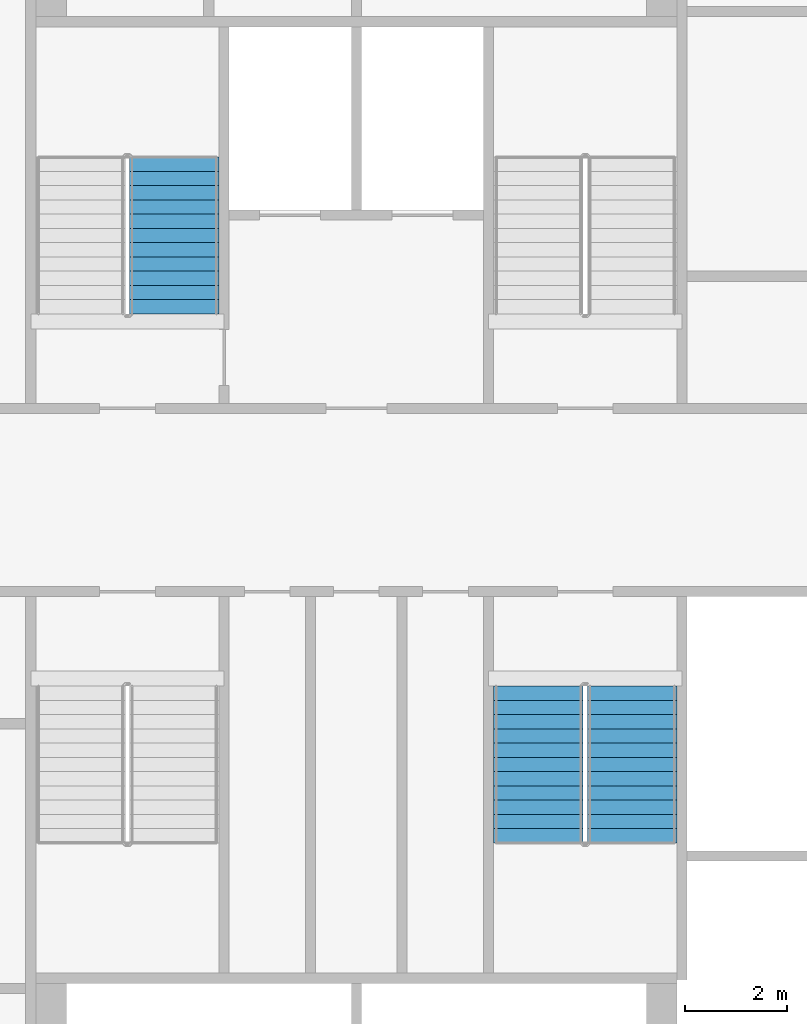
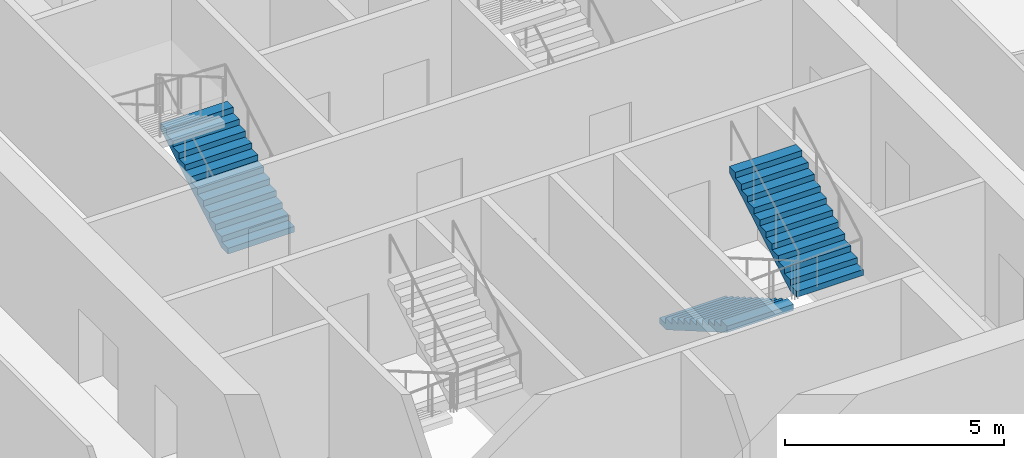
# One storey, part 9 of 15: 3 stair flights, 2 elements without a shape of their own.
"""IFC4 building model written with IfcOpenShell, lengths in metres."""

from ifc_helpers import new_model, si_unit, direction, frame, origin, place, context, subcontext, project, spatial, faceted_brep, material, type_object, element, aggregate, save


model = new_model("IFC4")

# Units and contexts
model_context = context("Model", 3, precision=1e-05, world=origin(), true_north=direction((0.0, 1.0)))
body_context = subcontext(model_context, "Body", "Model", "MODEL_VIEW")
ifc_project = project(units=[si_unit("LENGTHUNIT", "METRE"), si_unit("AREAUNIT", "SQUARE_METRE"), si_unit("VOLUMEUNIT", "CUBIC_METRE"), si_unit("PLANEANGLEUNIT", "RADIAN"), si_unit("MASSUNIT", "GRAM", prefix="KILO")], contexts=[model_context])

# Site, building, storey
site_placement = place(None, origin())
site = spatial("IfcSite", under=ifc_project, at=site_placement, CompositionType="ELEMENT")
building_placement = place(site_placement, origin())
building = spatial("IfcBuilding", under=site, at=building_placement, Name="Tarsis Ring Headquarters", CompositionType="ELEMENT")
storey_placement = place(building_placement, frame((0.0, 0.0, 159.300048828125)))
storey = spatial("IfcBuildingStorey", under=building, at=storey_placement, Name="L36", CompositionType="ELEMENT", Elevation=159.300048828125)

# Stair, stair flight
ifc_material_1 = material(Name="Core stair 1760")
stair_type = type_object("IfcStairType", Name="Core stair 1760", PredefinedType="HALF_TURN_STAIR", material=ifc_material_1)
stair_1_placement = place(storey_placement, origin())
stair_1 = element("IfcStair", 1, at=stair_1_placement, inside=storey, type_object=stair_type, Name="L36 Firefighting stair", PredefinedType="HALF_TURN_STAIR")
ifc_material_2 = material(Name="Concrete C40/50", Category="concrete")
stair_flight_type = type_object("IfcStairFlightType", Name="Core stair flight 1760", PredefinedType="STRAIGHT", material=ifc_material_2)
stair_flight_1_placement = place(storey_placement, frame((-3.580078125, 3.659912109375, 0.0), z_axis=(0.0, 0.0, 1.0), x_axis=(0.0, 1.0, 0.0)))
stair_flight_1 = element("IfcStairFlight", 2, at=stair_flight_1_placement, type_object=stair_flight_type, Name="Stair ST1 flight 1", NumberOfRisers=12, NumberOfTreads=11, PredefinedType="STRAIGHT", RiserHeight=0.1625, TreadLength=0.28, context=body_context, shape_type="Brep", body=[
    faceted_brep([(0.0, 0.8798828125, 0.0), (0.0, 0.8798828125, 0.16259765625), (0.280029296875, 0.8798828125, 0.16259765625), (0.280029296875, 0.8798828125, 0.324951171875), (0.56005859375, 0.8798828125, 0.324951171875), (0.56005859375, 0.8798828125, 0.487548828125), (0.840087890625, 0.8798828125, 0.487548828125), (0.840087890625, 0.8798828125, 0.64990234375), (1.1201171875, 0.8798828125, 0.64990234375), (1.1201171875, 0.8798828125, 0.8125), (1.39990234375, 0.8798828125, 0.8125), (1.39990234375, 0.8798828125, 0.97509765625), (1.679931640625, 0.8798828125, 0.97509765625), (1.679931640625, 0.8798828125, 1.137451171875), (1.9599609375, 0.8798828125, 1.137451171875), (1.9599609375, 0.8798828125, 1.300048828125), (2.239990234375, 0.8798828125, 1.300048828125), (2.239990234375, 0.8798828125, 1.46240234375), (2.52001953125, 0.8798828125, 1.46240234375), (2.52001953125, 0.8798828125, 1.625), (2.800048828125, 0.8798828125, 1.625), (2.800048828125, 0.8798828125, 1.78759765625), (3.080078125, 0.8798828125, 1.78759765625), (3.080078125, 0.8798828125, 1.6142578125), (0.298583984375, 0.8798828125, 0.0), (0.298583984375, -0.8798828125, 0.0), (3.080078125, -0.8798828125, 1.6142578125), (3.080078125, -0.8798828125, 1.78759765625), (2.800048828125, -0.8798828125, 1.78759765625), (2.800048828125, -0.8798828125, 1.625), (2.52001953125, -0.8798828125, 1.625), (2.52001953125, -0.8798828125, 1.46240234375), (2.239990234375, -0.8798828125, 1.46240234375), (2.239990234375, -0.8798828125, 1.300048828125), (1.9599609375, -0.8798828125, 1.300048828125), (1.9599609375, -0.8798828125, 1.137451171875), (1.679931640625, -0.8798828125, 1.137451171875), (1.679931640625, -0.8798828125, 0.97509765625), (1.39990234375, -0.8798828125, 0.97509765625), (1.39990234375, -0.8798828125, 0.8125), (1.1201171875, -0.8798828125, 0.8125), (1.1201171875, -0.8798828125, 0.64990234375), (0.840087890625, -0.8798828125, 0.64990234375), (0.840087890625, -0.8798828125, 0.487548828125), (0.56005859375, -0.8798828125, 0.487548828125), (0.56005859375, -0.8798828125, 0.324951171875), (0.280029296875, -0.8798828125, 0.324951171875), (0.280029296875, -0.8798828125, 0.16259765625), (0.0, -0.8798828125, 0.16259765625), (0.0, -0.8798828125, 0.0), (0.0, -0.43994140625, 0.16259765625), (0.0, -0.43994140625, 0.0), (0.0, 0.0, 0.16259765625), (0.0, 0.0, 0.0), (0.0, 0.43994140625, 0.16259765625), (0.0, 0.43994140625, 0.0), (0.280029296875, -0.43994140625, 0.16259765625), (0.280029296875, 0.0, 0.16259765625), (0.280029296875, 0.43994140625, 0.16259765625), (0.280029296875, -0.43994140625, 0.324951171875), (0.280029296875, 0.0, 0.324951171875), (0.280029296875, 0.43994140625, 0.324951171875), (0.56005859375, -0.43994140625, 0.324951171875), (0.56005859375, 0.0, 0.324951171875), (0.56005859375, 0.43994140625, 0.324951171875), (0.56005859375, -0.43994140625, 0.487548828125), (0.56005859375, 0.0, 0.487548828125), (0.56005859375, 0.43994140625, 0.487548828125), (0.840087890625, -0.43994140625, 0.487548828125), (0.840087890625, 0.0, 0.487548828125), (0.840087890625, 0.43994140625, 0.487548828125), (0.840087890625, -0.43994140625, 0.64990234375), (0.840087890625, 0.0, 0.64990234375), (0.840087890625, 0.43994140625, 0.64990234375), (1.1201171875, -0.43994140625, 0.64990234375), (1.1201171875, 0.0, 0.64990234375), (1.1201171875, 0.43994140625, 0.64990234375), (1.1201171875, -0.43994140625, 0.8125), (1.1201171875, 0.0, 0.8125), (1.1201171875, 0.43994140625, 0.8125), (1.39990234375, -0.43994140625, 0.8125), (1.39990234375, 0.0, 0.8125), (1.39990234375, 0.43994140625, 0.8125), (1.39990234375, -0.43994140625, 0.97509765625), (1.39990234375, 0.0, 0.97509765625), (1.39990234375, 0.43994140625, 0.97509765625), (1.679931640625, -0.43994140625, 0.97509765625), (1.679931640625, 0.0, 0.97509765625), (1.679931640625, 0.43994140625, 0.97509765625), (1.679931640625, -0.43994140625, 1.137451171875), (1.679931640625, 0.0, 1.137451171875), (1.679931640625, 0.43994140625, 1.137451171875), (1.9599609375, -0.43994140625, 1.137451171875), (1.9599609375, 0.0, 1.137451171875), (1.9599609375, 0.43994140625, 1.137451171875), (1.9599609375, -0.43994140625, 1.300048828125), (1.9599609375, 0.0, 1.300048828125), (1.9599609375, 0.43994140625, 1.300048828125), (2.239990234375, -0.43994140625, 1.300048828125), (2.239990234375, 0.0, 1.300048828125), (2.239990234375, 0.43994140625, 1.300048828125), (2.239990234375, -0.43994140625, 1.46240234375), (2.239990234375, 0.0, 1.46240234375), (2.239990234375, 0.43994140625, 1.46240234375), (2.52001953125, -0.43994140625, 1.46240234375), (2.52001953125, 0.0, 1.46240234375), (2.52001953125, 0.43994140625, 1.46240234375), (2.52001953125, -0.43994140625, 1.625), (2.52001953125, 0.0, 1.625), (2.52001953125, 0.43994140625, 1.625), (2.800048828125, -0.43994140625, 1.625), (2.800048828125, 0.0, 1.625), (2.800048828125, 0.43994140625, 1.625), (2.800048828125, -0.43994140625, 1.78759765625), (2.800048828125, 0.0, 1.78759765625), (2.800048828125, 0.43994140625, 1.78759765625), (3.080078125, -0.43994140625, 1.78759765625), (3.080078125, 0.0, 1.78759765625), (3.080078125, 0.43994140625, 1.78759765625), (3.080078125, -0.43994140625, 1.6142578125), (3.080078125, 0.0, 1.6142578125), (3.080078125, 0.43994140625, 1.6142578125), (0.298583984375, -0.43994140625, 0.0), (0.298583984375, 0.0, 0.0), (0.298583984375, 0.43994140625, 0.0)], [[[0, 1, 2, 3, 4, 5, 6, 7, 8, 9, 10, 11, 12, 13, 14, 15, 16, 17, 18, 19, 20, 21, 22, 23, 24]], [[25, 26, 27, 28, 29, 30, 31, 32, 33, 34, 35, 36, 37, 38, 39, 40, 41, 42, 43, 44, 45, 46, 47, 48, 49]], [[49, 48, 50, 51]], [[51, 50, 52, 53]], [[53, 52, 54, 55]], [[55, 54, 1, 0]], [[48, 47, 56, 50]], [[50, 56, 57, 52]], [[52, 57, 58, 54]], [[54, 58, 2, 1]], [[47, 46, 59, 56]], [[56, 59, 60, 57]], [[57, 60, 61, 58]], [[58, 61, 3, 2]], [[46, 45, 62, 59]], [[59, 62, 63, 60]], [[60, 63, 64, 61]], [[61, 64, 4, 3]], [[45, 44, 65, 62]], [[62, 65, 66, 63]], [[63, 66, 67, 64]], [[64, 67, 5, 4]], [[44, 43, 68, 65]], [[65, 68, 69, 66]], [[66, 69, 70, 67]], [[67, 70, 6, 5]], [[43, 42, 71, 68]], [[68, 71, 72, 69]], [[69, 72, 73, 70]], [[70, 73, 7, 6]], [[42, 41, 74, 71]], [[71, 74, 75, 72]], [[72, 75, 76, 73]], [[73, 76, 8, 7]], [[41, 40, 77, 74]], [[74, 77, 78, 75]], [[75, 78, 79, 76]], [[76, 79, 9, 8]], [[40, 39, 80, 77]], [[77, 80, 81, 78]], [[78, 81, 82, 79]], [[79, 82, 10, 9]], [[39, 38, 83, 80]], [[80, 83, 84, 81]], [[81, 84, 85, 82]], [[82, 85, 11, 10]], [[38, 37, 86, 83]], [[83, 86, 87, 84]], [[84, 87, 88, 85]], [[85, 88, 12, 11]], [[37, 36, 89, 86]], [[86, 89, 90, 87]], [[87, 90, 91, 88]], [[88, 91, 13, 12]], [[36, 35, 92, 89]], [[89, 92, 93, 90]], [[90, 93, 94, 91]], [[91, 94, 14, 13]], [[35, 34, 95, 92]], [[92, 95, 96, 93]], [[93, 96, 97, 94]], [[94, 97, 15, 14]], [[34, 33, 98, 95]], [[95, 98, 99, 96]], [[96, 99, 100, 97]], [[97, 100, 16, 15]], [[33, 32, 101, 98]], [[98, 101, 102, 99]], [[99, 102, 103, 100]], [[100, 103, 17, 16]], [[32, 31, 104, 101]], [[101, 104, 105, 102]], [[102, 105, 106, 103]], [[103, 106, 18, 17]], [[31, 30, 107, 104]], [[104, 107, 108, 105]], [[105, 108, 109, 106]], [[106, 109, 19, 18]], [[30, 29, 110, 107]], [[107, 110, 111, 108]], [[108, 111, 112, 109]], [[109, 112, 20, 19]], [[29, 28, 113, 110]], [[110, 113, 114, 111]], [[111, 114, 115, 112]], [[112, 115, 21, 20]], [[28, 27, 116, 113]], [[113, 116, 117, 114]], [[114, 117, 118, 115]], [[115, 118, 22, 21]], [[27, 26, 119, 116]], [[116, 119, 120, 117]], [[117, 120, 121, 118]], [[118, 121, 23, 22]], [[26, 25, 122, 119]], [[119, 122, 123, 120]], [[120, 123, 124, 121]], [[121, 124, 24, 23]], [[25, 49, 51, 122]], [[122, 51, 53, 123]], [[123, 53, 55, 124]], [[124, 55, 0, 24]]]),
])
aggregate(stair_1, [stair_flight_1])

# Stair, stair flights
stair_2_placement = place(storey_placement, origin())
stair_2 = element("IfcStair", 3, at=stair_2_placement, inside=storey, type_object=stair_type, Name="L36 Exit stair D", PredefinedType="HALF_TURN_STAIR")
stair_flight_2_placement = place(storey_placement, frame((3.580078125, -3.659912109375, 0.0), z_axis=(0.0, 0.0, 1.0), x_axis=(0.0, -1.0, 0.0)))
stair_flight_2 = element("IfcStairFlight", 4, at=stair_flight_2_placement, type_object=stair_flight_type, Name="Stair ST4 flight 1", NumberOfRisers=12, NumberOfTreads=11, PredefinedType="STRAIGHT", RiserHeight=0.1625, TreadLength=0.28, context=body_context, shape_type="Brep", body=[
    faceted_brep([(0.0, 0.8798828125, 0.0), (0.0, 0.8798828125, 0.16259765625), (0.280029296875, 0.8798828125, 0.16259765625), (0.280029296875, 0.8798828125, 0.324951171875), (0.56005859375, 0.8798828125, 0.324951171875), (0.56005859375, 0.8798828125, 0.487548828125), (0.840087890625, 0.8798828125, 0.487548828125), (0.840087890625, 0.8798828125, 0.64990234375), (1.1201171875, 0.8798828125, 0.64990234375), (1.1201171875, 0.8798828125, 0.8125), (1.39990234375, 0.8798828125, 0.8125), (1.39990234375, 0.8798828125, 0.97509765625), (1.679931640625, 0.8798828125, 0.97509765625), (1.679931640625, 0.8798828125, 1.137451171875), (1.9599609375, 0.8798828125, 1.137451171875), (1.9599609375, 0.8798828125, 1.300048828125), (2.239990234375, 0.8798828125, 1.300048828125), (2.239990234375, 0.8798828125, 1.46240234375), (2.52001953125, 0.8798828125, 1.46240234375), (2.52001953125, 0.8798828125, 1.625), (2.800048828125, 0.8798828125, 1.625), (2.800048828125, 0.8798828125, 1.78759765625), (3.080078125, 0.8798828125, 1.78759765625), (3.080078125, 0.8798828125, 1.6142578125), (0.298583984375, 0.8798828125, 0.0), (0.298583984375, -0.8798828125, 0.0), (3.080078125, -0.8798828125, 1.6142578125), (3.080078125, -0.8798828125, 1.78759765625), (2.800048828125, -0.8798828125, 1.78759765625), (2.800048828125, -0.8798828125, 1.625), (2.52001953125, -0.8798828125, 1.625), (2.52001953125, -0.8798828125, 1.46240234375), (2.239990234375, -0.8798828125, 1.46240234375), (2.239990234375, -0.8798828125, 1.300048828125), (1.9599609375, -0.8798828125, 1.300048828125), (1.9599609375, -0.8798828125, 1.137451171875), (1.679931640625, -0.8798828125, 1.137451171875), (1.679931640625, -0.8798828125, 0.97509765625), (1.39990234375, -0.8798828125, 0.97509765625), (1.39990234375, -0.8798828125, 0.8125), (1.1201171875, -0.8798828125, 0.8125), (1.1201171875, -0.8798828125, 0.64990234375), (0.840087890625, -0.8798828125, 0.64990234375), (0.840087890625, -0.8798828125, 0.487548828125), (0.56005859375, -0.8798828125, 0.487548828125), (0.56005859375, -0.8798828125, 0.324951171875), (0.280029296875, -0.8798828125, 0.324951171875), (0.280029296875, -0.8798828125, 0.16259765625), (0.0, -0.8798828125, 0.16259765625), (0.0, -0.8798828125, 0.0), (0.0, -0.43994140625, 0.16259765625), (0.0, -0.43994140625, 0.0), (0.0, 0.0, 0.16259765625), (0.0, 0.0, 0.0), (0.0, 0.43994140625, 0.16259765625), (0.0, 0.43994140625, 0.0), (0.280029296875, -0.43994140625, 0.16259765625), (0.280029296875, 0.0, 0.16259765625), (0.280029296875, 0.43994140625, 0.16259765625), (0.280029296875, -0.43994140625, 0.324951171875), (0.280029296875, 0.0, 0.324951171875), (0.280029296875, 0.43994140625, 0.324951171875), (0.56005859375, -0.43994140625, 0.324951171875), (0.56005859375, 0.0, 0.324951171875), (0.56005859375, 0.43994140625, 0.324951171875), (0.56005859375, -0.43994140625, 0.487548828125), (0.56005859375, 0.0, 0.487548828125), (0.56005859375, 0.43994140625, 0.487548828125), (0.840087890625, -0.43994140625, 0.487548828125), (0.840087890625, 0.0, 0.487548828125), (0.840087890625, 0.43994140625, 0.487548828125), (0.840087890625, -0.43994140625, 0.64990234375), (0.840087890625, 0.0, 0.64990234375), (0.840087890625, 0.43994140625, 0.64990234375), (1.1201171875, -0.43994140625, 0.64990234375), (1.1201171875, 0.0, 0.64990234375), (1.1201171875, 0.43994140625, 0.64990234375), (1.1201171875, -0.43994140625, 0.8125), (1.1201171875, 0.0, 0.8125), (1.1201171875, 0.43994140625, 0.8125), (1.39990234375, -0.43994140625, 0.8125), (1.39990234375, 0.0, 0.8125), (1.39990234375, 0.43994140625, 0.8125), (1.39990234375, -0.43994140625, 0.97509765625), (1.39990234375, 0.0, 0.97509765625), (1.39990234375, 0.43994140625, 0.97509765625), (1.679931640625, -0.43994140625, 0.97509765625), (1.679931640625, 0.0, 0.97509765625), (1.679931640625, 0.43994140625, 0.97509765625), (1.679931640625, -0.43994140625, 1.137451171875), (1.679931640625, 0.0, 1.137451171875), (1.679931640625, 0.43994140625, 1.137451171875), (1.9599609375, -0.43994140625, 1.137451171875), (1.9599609375, 0.0, 1.137451171875), (1.9599609375, 0.43994140625, 1.137451171875), (1.9599609375, -0.43994140625, 1.300048828125), (1.9599609375, 0.0, 1.300048828125), (1.9599609375, 0.43994140625, 1.300048828125), (2.239990234375, -0.43994140625, 1.300048828125), (2.239990234375, 0.0, 1.300048828125), (2.239990234375, 0.43994140625, 1.300048828125), (2.239990234375, -0.43994140625, 1.46240234375), (2.239990234375, 0.0, 1.46240234375), (2.239990234375, 0.43994140625, 1.46240234375), (2.52001953125, -0.43994140625, 1.46240234375), (2.52001953125, 0.0, 1.46240234375), (2.52001953125, 0.43994140625, 1.46240234375), (2.52001953125, -0.43994140625, 1.625), (2.52001953125, 0.0, 1.625), (2.52001953125, 0.43994140625, 1.625), (2.800048828125, -0.43994140625, 1.625), (2.800048828125, 0.0, 1.625), (2.800048828125, 0.43994140625, 1.625), (2.800048828125, -0.43994140625, 1.78759765625), (2.800048828125, 0.0, 1.78759765625), (2.800048828125, 0.43994140625, 1.78759765625), (3.080078125, -0.43994140625, 1.78759765625), (3.080078125, 0.0, 1.78759765625), (3.080078125, 0.43994140625, 1.78759765625), (3.080078125, -0.43994140625, 1.6142578125), (3.080078125, 0.0, 1.6142578125), (3.080078125, 0.43994140625, 1.6142578125), (0.298583984375, -0.43994140625, 0.0), (0.298583984375, 0.0, 0.0), (0.298583984375, 0.43994140625, 0.0)], [[[0, 1, 2, 3, 4, 5, 6, 7, 8, 9, 10, 11, 12, 13, 14, 15, 16, 17, 18, 19, 20, 21, 22, 23, 24]], [[25, 26, 27, 28, 29, 30, 31, 32, 33, 34, 35, 36, 37, 38, 39, 40, 41, 42, 43, 44, 45, 46, 47, 48, 49]], [[49, 48, 50, 51]], [[51, 50, 52, 53]], [[53, 52, 54, 55]], [[55, 54, 1, 0]], [[48, 47, 56, 50]], [[50, 56, 57, 52]], [[52, 57, 58, 54]], [[54, 58, 2, 1]], [[47, 46, 59, 56]], [[56, 59, 60, 57]], [[57, 60, 61, 58]], [[58, 61, 3, 2]], [[46, 45, 62, 59]], [[59, 62, 63, 60]], [[60, 63, 64, 61]], [[61, 64, 4, 3]], [[45, 44, 65, 62]], [[62, 65, 66, 63]], [[63, 66, 67, 64]], [[64, 67, 5, 4]], [[44, 43, 68, 65]], [[65, 68, 69, 66]], [[66, 69, 70, 67]], [[67, 70, 6, 5]], [[43, 42, 71, 68]], [[68, 71, 72, 69]], [[69, 72, 73, 70]], [[70, 73, 7, 6]], [[42, 41, 74, 71]], [[71, 74, 75, 72]], [[72, 75, 76, 73]], [[73, 76, 8, 7]], [[41, 40, 77, 74]], [[74, 77, 78, 75]], [[75, 78, 79, 76]], [[76, 79, 9, 8]], [[40, 39, 80, 77]], [[77, 80, 81, 78]], [[78, 81, 82, 79]], [[79, 82, 10, 9]], [[39, 38, 83, 80]], [[80, 83, 84, 81]], [[81, 84, 85, 82]], [[82, 85, 11, 10]], [[38, 37, 86, 83]], [[83, 86, 87, 84]], [[84, 87, 88, 85]], [[85, 88, 12, 11]], [[37, 36, 89, 86]], [[86, 89, 90, 87]], [[87, 90, 91, 88]], [[88, 91, 13, 12]], [[36, 35, 92, 89]], [[89, 92, 93, 90]], [[90, 93, 94, 91]], [[91, 94, 14, 13]], [[35, 34, 95, 92]], [[92, 95, 96, 93]], [[93, 96, 97, 94]], [[94, 97, 15, 14]], [[34, 33, 98, 95]], [[95, 98, 99, 96]], [[96, 99, 100, 97]], [[97, 100, 16, 15]], [[33, 32, 101, 98]], [[98, 101, 102, 99]], [[99, 102, 103, 100]], [[100, 103, 17, 16]], [[32, 31, 104, 101]], [[101, 104, 105, 102]], [[102, 105, 106, 103]], [[103, 106, 18, 17]], [[31, 30, 107, 104]], [[104, 107, 108, 105]], [[105, 108, 109, 106]], [[106, 109, 19, 18]], [[30, 29, 110, 107]], [[107, 110, 111, 108]], [[108, 111, 112, 109]], [[109, 112, 20, 19]], [[29, 28, 113, 110]], [[110, 113, 114, 111]], [[111, 114, 115, 112]], [[112, 115, 21, 20]], [[28, 27, 116, 113]], [[113, 116, 117, 114]], [[114, 117, 118, 115]], [[115, 118, 22, 21]], [[27, 26, 119, 116]], [[116, 119, 120, 117]], [[117, 120, 121, 118]], [[118, 121, 23, 22]], [[26, 25, 122, 119]], [[119, 122, 123, 120]], [[120, 123, 124, 121]], [[121, 124, 24, 23]], [[25, 49, 51, 122]], [[122, 51, 53, 123]], [[123, 53, 55, 124]], [[124, 55, 0, 24]]]),
])
stair_flight_3_placement = place(storey_placement, frame((5.419921875, -6.739990234375, 1.949951171875), z_axis=(0.0, 0.0, 1.0), x_axis=(0.0, 1.0, 0.0)))
stair_flight_3 = element("IfcStairFlight", 5, at=stair_flight_3_placement, type_object=stair_flight_type, Name="Stair ST4 flight 2", NumberOfRisers=12, NumberOfTreads=11, PredefinedType="STRAIGHT", RiserHeight=0.1625, TreadLength=0.28, context=body_context, shape_type="Brep", body=[
    faceted_brep([(0.0, 0.8798828125, 0.0), (0.0, 0.8798828125, 0.16259765625), (0.280029296875, 0.8798828125, 0.16259765625), (0.280029296875, 0.8798828125, 0.324951171875), (0.56005859375, 0.8798828125, 0.324951171875), (0.56005859375, 0.8798828125, 0.487548828125), (0.840087890625, 0.8798828125, 0.487548828125), (0.840087890625, 0.8798828125, 0.64990234375), (1.1201171875, 0.8798828125, 0.64990234375), (1.1201171875, 0.8798828125, 0.8125), (1.39990234375, 0.8798828125, 0.8125), (1.39990234375, 0.8798828125, 0.97509765625), (1.679931640625, 0.8798828125, 0.97509765625), (1.679931640625, 0.8798828125, 1.137451171875), (1.9599609375, 0.8798828125, 1.137451171875), (1.9599609375, 0.8798828125, 1.300048828125), (2.239990234375, 0.8798828125, 1.300048828125), (2.239990234375, 0.8798828125, 1.46240234375), (2.52001953125, 0.8798828125, 1.46240234375), (2.52001953125, 0.8798828125, 1.625), (2.800048828125, 0.8798828125, 1.625), (2.800048828125, 0.8798828125, 1.78759765625), (3.080078125, 0.8798828125, 1.78759765625), (3.080078125, 0.8798828125, 1.6142578125), (0.298583984375, 0.8798828125, 0.0), (0.298583984375, -0.8798828125, 0.0), (3.080078125, -0.8798828125, 1.6142578125), (3.080078125, -0.8798828125, 1.78759765625), (2.800048828125, -0.8798828125, 1.78759765625), (2.800048828125, -0.8798828125, 1.625), (2.52001953125, -0.8798828125, 1.625), (2.52001953125, -0.8798828125, 1.46240234375), (2.239990234375, -0.8798828125, 1.46240234375), (2.239990234375, -0.8798828125, 1.300048828125), (1.9599609375, -0.8798828125, 1.300048828125), (1.9599609375, -0.8798828125, 1.137451171875), (1.679931640625, -0.8798828125, 1.137451171875), (1.679931640625, -0.8798828125, 0.97509765625), (1.39990234375, -0.8798828125, 0.97509765625), (1.39990234375, -0.8798828125, 0.8125), (1.1201171875, -0.8798828125, 0.8125), (1.1201171875, -0.8798828125, 0.64990234375), (0.840087890625, -0.8798828125, 0.64990234375), (0.840087890625, -0.8798828125, 0.487548828125), (0.56005859375, -0.8798828125, 0.487548828125), (0.56005859375, -0.8798828125, 0.324951171875), (0.280029296875, -0.8798828125, 0.324951171875), (0.280029296875, -0.8798828125, 0.16259765625), (0.0, -0.8798828125, 0.16259765625), (0.0, -0.8798828125, 0.0), (0.0, -0.43994140625, 0.16259765625), (0.0, -0.43994140625, 0.0), (0.0, 0.0, 0.16259765625), (0.0, 0.0, 0.0), (0.0, 0.43994140625, 0.16259765625), (0.0, 0.43994140625, 0.0), (0.280029296875, -0.43994140625, 0.16259765625), (0.280029296875, 0.0, 0.16259765625), (0.280029296875, 0.43994140625, 0.16259765625), (0.280029296875, -0.43994140625, 0.324951171875), (0.280029296875, 0.0, 0.324951171875), (0.280029296875, 0.43994140625, 0.324951171875), (0.56005859375, -0.43994140625, 0.324951171875), (0.56005859375, 0.0, 0.324951171875), (0.56005859375, 0.43994140625, 0.324951171875), (0.56005859375, -0.43994140625, 0.487548828125), (0.56005859375, 0.0, 0.487548828125), (0.56005859375, 0.43994140625, 0.487548828125), (0.840087890625, -0.43994140625, 0.487548828125), (0.840087890625, 0.0, 0.487548828125), (0.840087890625, 0.43994140625, 0.487548828125), (0.840087890625, -0.43994140625, 0.64990234375), (0.840087890625, 0.0, 0.64990234375), (0.840087890625, 0.43994140625, 0.64990234375), (1.1201171875, -0.43994140625, 0.64990234375), (1.1201171875, 0.0, 0.64990234375), (1.1201171875, 0.43994140625, 0.64990234375), (1.1201171875, -0.43994140625, 0.8125), (1.1201171875, 0.0, 0.8125), (1.1201171875, 0.43994140625, 0.8125), (1.39990234375, -0.43994140625, 0.8125), (1.39990234375, 0.0, 0.8125), (1.39990234375, 0.43994140625, 0.8125), (1.39990234375, -0.43994140625, 0.97509765625), (1.39990234375, 0.0, 0.97509765625), (1.39990234375, 0.43994140625, 0.97509765625), (1.679931640625, -0.43994140625, 0.97509765625), (1.679931640625, 0.0, 0.97509765625), (1.679931640625, 0.43994140625, 0.97509765625), (1.679931640625, -0.43994140625, 1.137451171875), (1.679931640625, 0.0, 1.137451171875), (1.679931640625, 0.43994140625, 1.137451171875), (1.9599609375, -0.43994140625, 1.137451171875), (1.9599609375, 0.0, 1.137451171875), (1.9599609375, 0.43994140625, 1.137451171875), (1.9599609375, -0.43994140625, 1.300048828125), (1.9599609375, 0.0, 1.300048828125), (1.9599609375, 0.43994140625, 1.300048828125), (2.239990234375, -0.43994140625, 1.300048828125), (2.239990234375, 0.0, 1.300048828125), (2.239990234375, 0.43994140625, 1.300048828125), (2.239990234375, -0.43994140625, 1.46240234375), (2.239990234375, 0.0, 1.46240234375), (2.239990234375, 0.43994140625, 1.46240234375), (2.52001953125, -0.43994140625, 1.46240234375), (2.52001953125, 0.0, 1.46240234375), (2.52001953125, 0.43994140625, 1.46240234375), (2.52001953125, -0.43994140625, 1.625), (2.52001953125, 0.0, 1.625), (2.52001953125, 0.43994140625, 1.625), (2.800048828125, -0.43994140625, 1.625), (2.800048828125, 0.0, 1.625), (2.800048828125, 0.43994140625, 1.625), (2.800048828125, -0.43994140625, 1.78759765625), (2.800048828125, 0.0, 1.78759765625), (2.800048828125, 0.43994140625, 1.78759765625), (3.080078125, -0.43994140625, 1.78759765625), (3.080078125, 0.0, 1.78759765625), (3.080078125, 0.43994140625, 1.78759765625), (3.080078125, -0.43994140625, 1.6142578125), (3.080078125, 0.0, 1.6142578125), (3.080078125, 0.43994140625, 1.6142578125), (0.298583984375, -0.43994140625, 0.0), (0.298583984375, 0.0, 0.0), (0.298583984375, 0.43994140625, 0.0)], [[[0, 1, 2, 3, 4, 5, 6, 7, 8, 9, 10, 11, 12, 13, 14, 15, 16, 17, 18, 19, 20, 21, 22, 23, 24]], [[25, 26, 27, 28, 29, 30, 31, 32, 33, 34, 35, 36, 37, 38, 39, 40, 41, 42, 43, 44, 45, 46, 47, 48, 49]], [[49, 48, 50, 51]], [[51, 50, 52, 53]], [[53, 52, 54, 55]], [[55, 54, 1, 0]], [[48, 47, 56, 50]], [[50, 56, 57, 52]], [[52, 57, 58, 54]], [[54, 58, 2, 1]], [[47, 46, 59, 56]], [[56, 59, 60, 57]], [[57, 60, 61, 58]], [[58, 61, 3, 2]], [[46, 45, 62, 59]], [[59, 62, 63, 60]], [[60, 63, 64, 61]], [[61, 64, 4, 3]], [[45, 44, 65, 62]], [[62, 65, 66, 63]], [[63, 66, 67, 64]], [[64, 67, 5, 4]], [[44, 43, 68, 65]], [[65, 68, 69, 66]], [[66, 69, 70, 67]], [[67, 70, 6, 5]], [[43, 42, 71, 68]], [[68, 71, 72, 69]], [[69, 72, 73, 70]], [[70, 73, 7, 6]], [[42, 41, 74, 71]], [[71, 74, 75, 72]], [[72, 75, 76, 73]], [[73, 76, 8, 7]], [[41, 40, 77, 74]], [[74, 77, 78, 75]], [[75, 78, 79, 76]], [[76, 79, 9, 8]], [[40, 39, 80, 77]], [[77, 80, 81, 78]], [[78, 81, 82, 79]], [[79, 82, 10, 9]], [[39, 38, 83, 80]], [[80, 83, 84, 81]], [[81, 84, 85, 82]], [[82, 85, 11, 10]], [[38, 37, 86, 83]], [[83, 86, 87, 84]], [[84, 87, 88, 85]], [[85, 88, 12, 11]], [[37, 36, 89, 86]], [[86, 89, 90, 87]], [[87, 90, 91, 88]], [[88, 91, 13, 12]], [[36, 35, 92, 89]], [[89, 92, 93, 90]], [[90, 93, 94, 91]], [[91, 94, 14, 13]], [[35, 34, 95, 92]], [[92, 95, 96, 93]], [[93, 96, 97, 94]], [[94, 97, 15, 14]], [[34, 33, 98, 95]], [[95, 98, 99, 96]], [[96, 99, 100, 97]], [[97, 100, 16, 15]], [[33, 32, 101, 98]], [[98, 101, 102, 99]], [[99, 102, 103, 100]], [[100, 103, 17, 16]], [[32, 31, 104, 101]], [[101, 104, 105, 102]], [[102, 105, 106, 103]], [[103, 106, 18, 17]], [[31, 30, 107, 104]], [[104, 107, 108, 105]], [[105, 108, 109, 106]], [[106, 109, 19, 18]], [[30, 29, 110, 107]], [[107, 110, 111, 108]], [[108, 111, 112, 109]], [[109, 112, 20, 19]], [[29, 28, 113, 110]], [[110, 113, 114, 111]], [[111, 114, 115, 112]], [[112, 115, 21, 20]], [[28, 27, 116, 113]], [[113, 116, 117, 114]], [[114, 117, 118, 115]], [[115, 118, 22, 21]], [[27, 26, 119, 116]], [[116, 119, 120, 117]], [[117, 120, 121, 118]], [[118, 121, 23, 22]], [[26, 25, 122, 119]], [[119, 122, 123, 120]], [[120, 123, 124, 121]], [[121, 124, 24, 23]], [[25, 49, 51, 122]], [[122, 51, 53, 123]], [[123, 53, 55, 124]], [[124, 55, 0, 24]]]),
])
aggregate(stair_2, [stair_flight_2, stair_flight_3])

save(model, "model.ifc")
